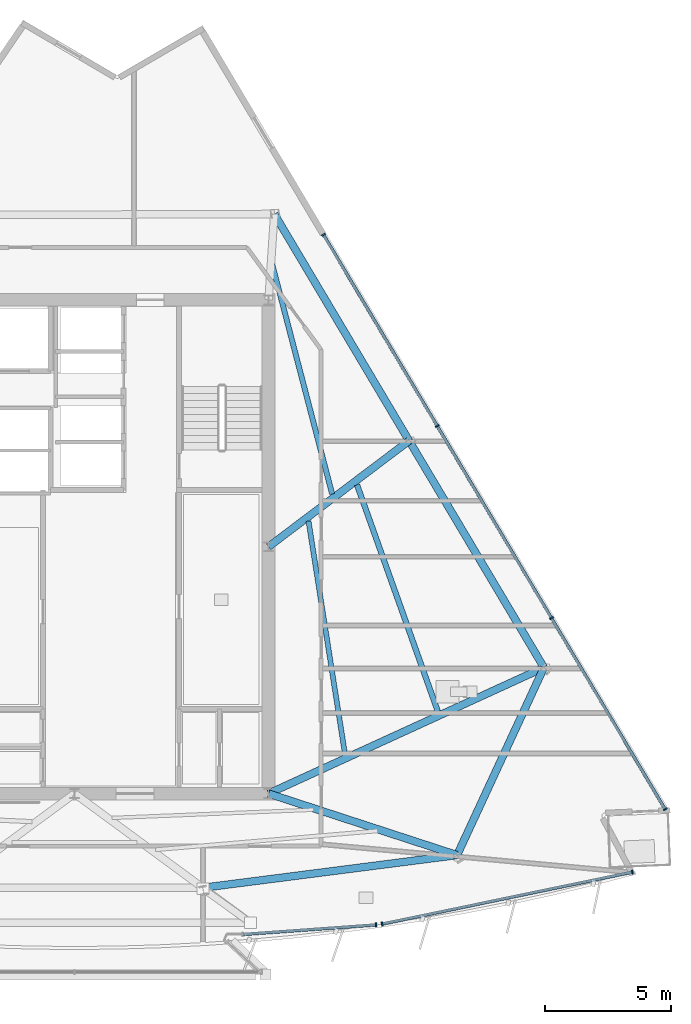
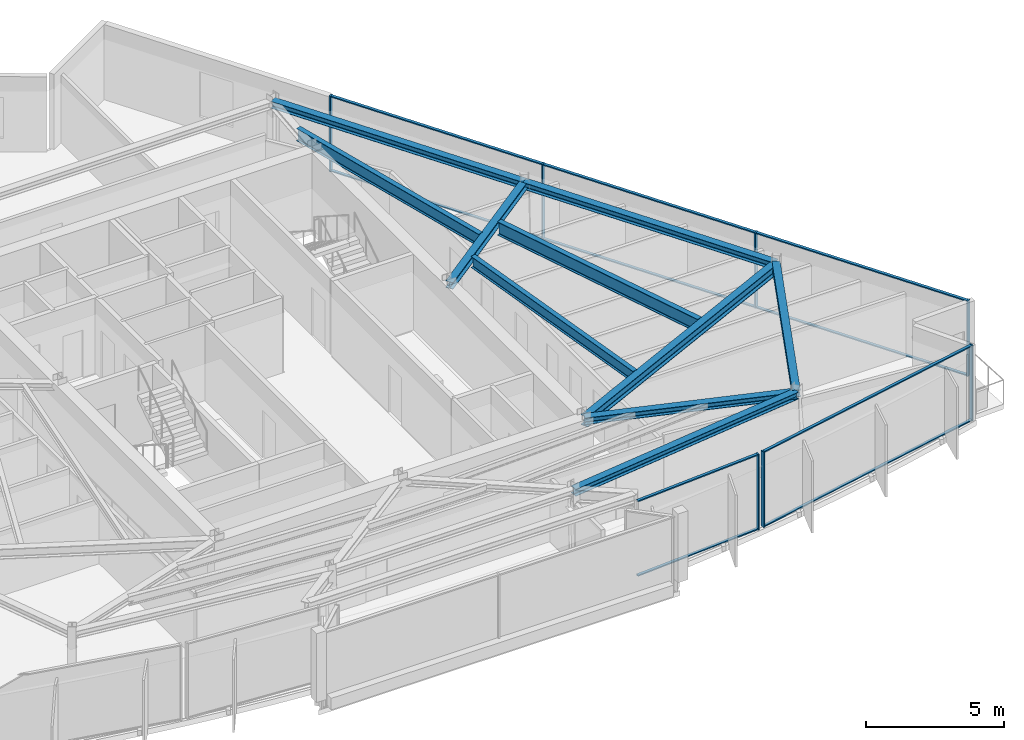
# One storey, part 5 of 13: 17 members, 10 beams, 3 elements without a shape of their own.
"""IFC4 building model written with IfcOpenShell, lengths in metres."""

from ifc_helpers import new_model, si_unit, direction, frame, origin, origin_2d, place, context, subcontext, project, spatial, rectangle, i_section, extrude, material, material_profile, profile_set, type_object, element, aggregate, save


model = new_model("IFC4")

# Units and contexts
model_context = context("Model", 3, precision=1e-05, world=origin(), true_north=direction((0.0, 1.0)))
body_context = subcontext(model_context, "Body", "Model", "MODEL_VIEW")
ifc_project = project(units=[si_unit("LENGTHUNIT", "METRE"), si_unit("AREAUNIT", "SQUARE_METRE"), si_unit("VOLUMEUNIT", "CUBIC_METRE"), si_unit("PLANEANGLEUNIT", "RADIAN"), si_unit("MASSUNIT", "GRAM", prefix="KILO")], contexts=[model_context])

# Site, building, storey
site_placement = place(None, origin())
site = spatial("IfcSite", under=ifc_project, at=site_placement, CompositionType="ELEMENT")
building_placement = place(site_placement, origin())
building = spatial("IfcBuilding", under=site, at=building_placement, Name="Savorim Split Tower", CompositionType="ELEMENT")
storey_placement = place(building_placement, frame((0.0, 0.0, 283.199951171875)))
storey = spatial("IfcBuildingStorey", under=building, at=storey_placement, Name="L75", CompositionType="ELEMENT", Elevation=283.199951171875)

# Beams
ifc_material_1 = material(Name="Steel S355", Category="steel")
ifc_material_profile_1 = material_profile(ifc_material_1, i_section(OverallWidth=0.199951171875, OverallDepth=0.5, WebThickness=0.01025390625, FlangeThickness=0.01611328125, FilletRadius=0.02099609375, at=origin_2d()), Name="IPE 500")
ifc_profile_set_1 = profile_set([ifc_material_profile_1], Name="Steel S355")
beam_type_1 = type_object("IfcBeamType", Name="BM-JST-IPE500", PredefinedType="JOIST", material=ifc_profile_set_1)
beam_1_placement = place(storey_placement, frame((10.736572265625, -7.840576171875, 3.10009765625), z_axis=(-0.154638283765, 0.987971154029, 0.0), x_axis=(-0.987971154029, -0.154638283765, 0.0)))
element("IfcBeam", 1, at=beam_1_placement, inside=storey, type_object=beam_type_1, Name="L75 Secondary Floor Joist JS-08", PredefinedType="JOIST", context=body_context, shape_type="SweptSolid", body=[
    extrude(i_section(OverallWidth=0.199951171875, OverallDepth=0.5, WebThickness=0.01025390625, FlangeThickness=0.01611328125, FilletRadius=0.02099609375, at=origin_2d()), origin(), (0.0, 0.0, 1.0), 9.373291015625),
])
ifc_material_profile_2 = material_profile(ifc_material_1, i_section(OverallWidth=0.2099609375, OverallDepth=0.550048828125, WebThickness=0.010986328125, FlangeThickness=0.01708984375, FilletRadius=0.02392578125, at=origin_2d()), Name="IPE 550")
ifc_profile_set_2 = profile_set([ifc_material_profile_2], Name="Steel S355")
beam_type_2 = type_object("IfcBeamType", Name="BM-JST-IPE550", PredefinedType="JOIST", material=ifc_profile_set_2)
beam_2_placement = place(storey_placement, frame((10.226318359375, 2.489990234375, 3.074951171875), z_axis=(-0.252550484171, 0.96758371883, 0.0), x_axis=(-0.96758371883, -0.252550484171, 0.0)))
element("IfcBeam", 2, at=beam_2_placement, inside=storey, type_object=beam_type_2, Name="L75 Secondary Floor Joist JS-07", PredefinedType="JOIST", context=body_context, shape_type="SweptSolid", body=[
    extrude(i_section(OverallWidth=0.2099609375, OverallDepth=0.550048828125, WebThickness=0.010986328125, FlangeThickness=0.01708984375, FilletRadius=0.02392578125, at=origin_2d()), origin(), (0.0, 0.0, 1.0), 9.42919921875),
])
ifc_material_profile_3 = material_profile(ifc_material_1, i_section(OverallWidth=0.219970703125, OverallDepth=0.60009765625, WebThickness=0.011962890625, FlangeThickness=0.01904296875, FilletRadius=0.02392578125, at=origin_2d()), Name="IPE 600")
ifc_profile_set_3 = profile_set([ifc_material_profile_3], Name="Steel S355")
beam_type_3 = type_object("IfcBeamType", Name="BM-JST-IPE600", PredefinedType="JOIST", material=ifc_profile_set_3)
beam_3_placement = place(storey_placement, frame((14.4248046875, -6.146240234375, 3.050048828125), z_axis=(-0.335941608896, 0.941882814055, 0.0), x_axis=(-0.941882814055, -0.335941608896, 0.0)))
element("IfcBeam", 3, at=beam_3_placement, inside=storey, type_object=beam_type_3, Name="L75 Secondary Floor Joist JS-06", PredefinedType="JOIST", context=body_context, shape_type="SweptSolid", body=[
    extrude(i_section(OverallWidth=0.219970703125, OverallDepth=0.60009765625, WebThickness=0.011962890625, FlangeThickness=0.01904296875, FilletRadius=0.02392578125, at=origin_2d()), origin(), (0.0, 0.0, 1.0), 9.5595703125),
])
ifc_material_profile_4 = material_profile(ifc_material_1, i_section(OverallWidth=0.300048828125, OverallDepth=0.300048828125, WebThickness=0.010986328125, FlangeThickness=0.01904296875, FilletRadius=0.027099609375, at=origin_2d()), Name="HEB 300")
ifc_profile_set_4 = profile_set([ifc_material_profile_4], Name="Steel S355")
beam_type_4 = type_object("IfcBeamType", Name="BM-PRI-HEB300", PredefinedType="BEAM", material=ifc_profile_set_4)
beam_4_placement = place(storey_placement, frame((15.185302734375, -11.842041015625, 3.199951171875), z_axis=(-0.950682542685, 0.310165605821, 0.0), x_axis=(-0.310165605821, -0.950682542685, 0.0)))
element("IfcBeam", 4, at=beam_4_placement, inside=storey, type_object=beam_type_4, Name="L75 Primary Floor Girder RG-04", PredefinedType="BEAM", context=body_context, shape_type="SweptSolid", body=[
    extrude(i_section(OverallWidth=0.300048828125, OverallDepth=0.300048828125, WebThickness=0.010986328125, FlangeThickness=0.01904296875, FilletRadius=0.027099609375, at=origin_2d()), origin(), (0.0, 0.0, 1.0), 7.873779296875),
])
beam_5_placement = place(storey_placement, frame((13.280029296875, 4.607177734375, 3.199951171875), z_axis=(-0.798471457477, -0.602032666551, 0.0), x_axis=(0.602032666551, -0.798471457477, 0.0)))
element("IfcBeam", 5, at=beam_5_placement, inside=storey, type_object=beam_type_4, Name="L75 Primary Floor Girder RG-06", PredefinedType="BEAM", context=body_context, shape_type="SweptSolid", body=[
    extrude(i_section(OverallWidth=0.300048828125, OverallDepth=0.300048828125, WebThickness=0.010986328125, FlangeThickness=0.01904296875, FilletRadius=0.027099609375, at=origin_2d()), origin(), (0.0, 0.0, 1.0), 6.988525390625),
])
ifc_material_profile_5 = material_profile(ifc_material_1, i_section(OverallWidth=0.300048828125, OverallDepth=0.449951171875, WebThickness=0.013916015625, FlangeThickness=0.02587890625, FilletRadius=0.027099609375, at=origin_2d()), Name="HEB 450")
ifc_profile_set_5 = profile_set([ifc_material_profile_5], Name="Steel S355")
beam_type_5 = type_object("IfcBeamType", Name="BM-PRI-HEB450", PredefinedType="BEAM", material=ifc_profile_set_5)
beam_6_placement = place(storey_placement, frame((18.633056640625, -4.395263671875, 3.125), z_axis=(-0.909265313128, -0.416216999103, 0.0), x_axis=(0.416216999103, -0.909265313128, 0.0)))
element("IfcBeam", 6, at=beam_6_placement, inside=storey, type_object=beam_type_5, Name="L75 Primary Floor Girder RG-05", PredefinedType="BEAM", context=body_context, shape_type="SweptSolid", body=[
    extrude(i_section(OverallWidth=0.300048828125, OverallDepth=0.449951171875, WebThickness=0.013916015625, FlangeThickness=0.02587890625, FilletRadius=0.027099609375, at=origin_2d()), origin(), (0.0, 0.0, 1.0), 12.024169921875),
])
ifc_material_profile_6 = material_profile(ifc_material_1, i_section(OverallWidth=0.300048828125, OverallDepth=0.31005859375, WebThickness=0.009033203125, FlangeThickness=0.015380859375, FilletRadius=0.027099609375, at=origin_2d()), Name="HEA 320")
ifc_profile_set_6 = profile_set([ifc_material_profile_6], Name="Steel S355")
beam_type_6 = type_object("IfcBeamType", Name="BM-SPN-HEA320", PredefinedType="SPANDREL", material=ifc_profile_set_6)
beam_7_placement = place(storey_placement, frame((5.08935546875, -13.138427734375, 3.195068359375), z_axis=(0.991856434449, 0.127360957293, 0.0), x_axis=(-0.127360957293, 0.991856434449, 0.0)))
element("IfcBeam", 7, at=beam_7_placement, inside=storey, type_object=beam_type_6, Name="L75 Perimeter Spandrel Beam 3", PredefinedType="SPANDREL", context=body_context, shape_type="SweptSolid", body=[
    extrude(i_section(OverallWidth=0.300048828125, OverallDepth=0.31005859375, WebThickness=0.009033203125, FlangeThickness=0.015380859375, FilletRadius=0.027099609375, at=origin_2d()), origin(), (0.0, 0.0, 1.0), 10.178955078125),
])
beam_8_placement = place(storey_placement, frame((15.185302734375, -11.842041015625, 3.195068359375), z_axis=(0.420140808544, 0.907458925239, 0.0), x_axis=(-0.907458925239, 0.420140808544, 0.0)))
element("IfcBeam", 8, at=beam_8_placement, inside=storey, type_object=beam_type_6, Name="L75 Perimeter Spandrel Beam 4", PredefinedType="SPANDREL", context=body_context, shape_type="SweptSolid", body=[
    extrude(i_section(OverallWidth=0.300048828125, OverallDepth=0.31005859375, WebThickness=0.009033203125, FlangeThickness=0.015380859375, FilletRadius=0.027099609375, at=origin_2d()), origin(), (0.0, 0.0, 1.0), 8.206298828125),
])
beam_9_placement = place(storey_placement, frame((18.633056640625, -4.395263671875, 3.195068359375), z_axis=(-0.511091217809, 0.859526478404, 0.0), x_axis=(-0.859526478404, -0.511091217809, 0.0)))
element("IfcBeam", 9, at=beam_9_placement, inside=storey, type_object=beam_type_6, Name="L75 Perimeter Spandrel Beam 5", PredefinedType="SPANDREL", context=body_context, shape_type="SweptSolid", body=[
    extrude(i_section(OverallWidth=0.300048828125, OverallDepth=0.31005859375, WebThickness=0.009033203125, FlangeThickness=0.015380859375, FilletRadius=0.027099609375, at=origin_2d()), origin(), (0.0, 0.0, 1.0), 10.4736328125),
])
beam_10_placement = place(storey_placement, frame((13.280029296875, 4.607177734375, 3.195068359375), z_axis=(-0.511084236525, 0.859530629574, 0.0), x_axis=(-0.859530629574, -0.511084236525, 0.0)))
element("IfcBeam", 10, at=beam_10_placement, inside=storey, type_object=beam_type_6, Name="L75 Perimeter Spandrel Beam 6", PredefinedType="SPANDREL", context=body_context, shape_type="SweptSolid", body=[
    extrude(i_section(OverallWidth=0.300048828125, OverallDepth=0.31005859375, WebThickness=0.009033203125, FlangeThickness=0.015380859375, FilletRadius=0.027099609375, at=origin_2d()), origin(), (0.0, 0.0, 1.0), 10.473388671875),
])

# Curtain wall, member
ifc_material_2 = material(Name="Dark Ceramic-Fritted Insulated Glass", Category="glass")
curtain_wall_type = type_object("IfcCurtainWallType", Name="CW-TWR-FRIT-B", PredefinedType="NOTDEFINED", material=ifc_material_2)
curtain_wall_1_placement = place(storey_placement, origin())
curtain_wall_1 = element("IfcCurtainWall", 11, at=curtain_wall_1_placement, inside=storey, type_object=curtain_wall_type, Name="L75 Curtain Wall CW-L75-SF3A", PredefinedType="NOTDEFINED")
ifc_material_3 = material(Name="Charcoal Anodised Aluminium", Category="aluminium")
ifc_material_profile_7 = material_profile(ifc_material_3, rectangle(XDim=0.159912109375, YDim=0.06005859375, at=origin_2d()), Name="ALU-M 160x60")
ifc_profile_set_7 = profile_set([ifc_material_profile_7], Name="Charcoal Anodised Aluminium")
member_type_1 = type_object("IfcMemberType", Name="CWM-160x60", PredefinedType="MULLION", material=ifc_profile_set_7)
member_1_placement = place(storey_placement, frame((11.967529296875, -14.610107421875, 0.0), z_axis=(0.0, 0.0, 1.0), x_axis=(-0.071549884359, 0.997437022598, 0.0)))
member_1 = element("IfcMember", 12, at=member_1_placement, type_object=member_type_1, Name="CW-03 mullion 2", PredefinedType="MULLION", context=body_context, shape_type="SweptSolid", body=[
    extrude(rectangle(XDim=0.159912109375, YDim=0.06005859375, at=origin_2d()), origin(), (0.0, 0.0, 1.0), 3.35009765625),
])

# Curtain wall, members
curtain_wall_2_placement = place(storey_placement, origin())
curtain_wall_2 = element("IfcCurtainWall", 13, at=curtain_wall_2_placement, inside=storey, type_object=curtain_wall_type, Name="L75 Curtain Wall CW-L75-SF4A", PredefinedType="NOTDEFINED")
member_2_placement = place(storey_placement, frame((12.20849609375, -14.57666015625, 0.0), z_axis=(0.0, 0.0, 1.0), x_axis=(-0.203215038861, 0.979134131762, 0.0)))
member_2 = element("IfcMember", 14, at=member_2_placement, type_object=member_type_1, Name="CW-03 mullion 1", PredefinedType="MULLION", context=body_context, shape_type="SweptSolid", body=[
    extrude(rectangle(XDim=0.159912109375, YDim=0.06005859375, at=origin_2d()), origin(), (0.0, 0.0, 1.0), 3.35009765625),
])
member_3_placement = place(storey_placement, frame((22.142333984375, -12.514892578125, 0.0), z_axis=(0.0, 0.0, 1.0), x_axis=(-0.203215038861, 0.979134131762, 0.0)))
member_3 = element("IfcMember", 15, at=member_3_placement, type_object=member_type_1, Name="CW-03 mullion 2", PredefinedType="MULLION", context=body_context, shape_type="SweptSolid", body=[
    extrude(rectangle(XDim=0.159912109375, YDim=0.06005859375, at=origin_2d()), origin(), (0.0, 0.0, 1.0), 3.35009765625),
])

curtain_wall_3_placement = place(storey_placement, origin())
curtain_wall_3 = element("IfcCurtainWall", 16, at=curtain_wall_3_placement, inside=storey, type_object=curtain_wall_type, Name="L75 Curtain Wall CW-L75-EAST", PredefinedType="NOTDEFINED")
member_4_placement = place(storey_placement, frame((23.44482421875, -10.0234375, 0.0), z_axis=(0.0, 0.0, 1.0), x_axis=(-0.859526200766, -0.511091684727, 0.0)))
member_4 = element("IfcMember", 17, at=member_4_placement, type_object=member_type_1, Name="CW-03 mullion 1", PredefinedType="MULLION", context=body_context, shape_type="SweptSolid", body=[
    extrude(rectangle(XDim=0.159912109375, YDim=0.06005859375, at=origin_2d()), origin(), (0.0, 0.0, 1.0), 3.35009765625),
])
member_5_placement = place(storey_placement, frame((18.92919921875, -2.42919921875, 0.0), z_axis=(0.0, 0.0, 1.0), x_axis=(-0.859526200766, -0.511091684727, 0.0)))
member_5 = element("IfcMember", 18, at=member_5_placement, type_object=member_type_1, Name="CW-03 mullion 2", PredefinedType="MULLION", context=body_context, shape_type="SweptSolid", body=[
    extrude(rectangle(XDim=0.159912109375, YDim=0.06005859375, at=origin_2d()), origin(), (0.0, 0.0, 1.0), 3.35009765625),
])
member_6_placement = place(storey_placement, frame((14.398193359375, 5.190673828125, 0.0), z_axis=(0.0, 0.0, 1.0), x_axis=(-0.859526200766, -0.511091684727, 0.0)))
member_6 = element("IfcMember", 19, at=member_6_placement, type_object=member_type_1, Name="CW-03 mullion 3", PredefinedType="MULLION", context=body_context, shape_type="SweptSolid", body=[
    extrude(rectangle(XDim=0.159912109375, YDim=0.06005859375, at=origin_2d()), origin(), (0.0, 0.0, 1.0), 3.35009765625),
])
member_7_placement = place(storey_placement, frame((9.882568359375, 12.784912109375, 0.0), z_axis=(0.0, 0.0, 1.0), x_axis=(-0.859526200766, -0.511091684727, 0.0)))
member_7 = element("IfcMember", 20, at=member_7_placement, type_object=member_type_1, Name="CW-03 mullion 4", PredefinedType="MULLION", context=body_context, shape_type="SweptSolid", body=[
    extrude(rectangle(XDim=0.159912109375, YDim=0.06005859375, at=origin_2d()), origin(), (0.0, 0.0, 1.0), 3.35009765625),
])

# Member
ifc_material_profile_8 = material_profile(ifc_material_3, rectangle(XDim=0.1201171875, YDim=0.050048828125, at=origin_2d()), Name="ALU-T 120x50")
ifc_profile_set_8 = profile_set([ifc_material_profile_8], Name="Charcoal Anodised Aluminium")
member_type_2 = type_object("IfcMemberType", Name="CWT-120x50", PredefinedType="USERDEFINED", material=ifc_profile_set_8)
member_8_placement = place(storey_placement, frame((6.697265625, -14.98828125, 0.025146484375), z_axis=(0.997436004079, 0.071564081545, 0.0), x_axis=(-0.071564081545, 0.997436004079, 0.0)))
member_8 = element("IfcMember", 21, at=member_8_placement, type_object=member_type_2, Name="CW-03 transom 1.1", ObjectType="TRANSOM", PredefinedType="USERDEFINED", context=body_context, shape_type="SweptSolid", body=[
    extrude(rectangle(XDim=0.1201171875, YDim=0.050048828125, at=origin_2d()), origin(), (0.0, 0.0, 1.0), 5.253662109375),
])

member_9_placement = place(storey_placement, frame((6.697265625, -14.98828125, 3.324951171875), z_axis=(0.997436004079, 0.071564081545, 0.0), x_axis=(-0.071564081545, 0.997436004079, 0.0)))
member_9 = element("IfcMember", 22, at=member_9_placement, type_object=member_type_2, Name="CW-03 transom 1.2", ObjectType="TRANSOM", PredefinedType="USERDEFINED", context=body_context, shape_type="SweptSolid", body=[
    extrude(rectangle(XDim=0.1201171875, YDim=0.050048828125, at=origin_2d()), origin(), (0.0, 0.0, 1.0), 5.253662109375),
])

aggregate(curtain_wall_1, [member_1, member_8, member_9])

member_10_placement = place(storey_placement, frame((12.238037109375, -14.570556640625, 0.025146484375), z_axis=(0.9791332013, 0.203219521977, 0.0), x_axis=(-0.203219521977, 0.9791332013, 0.0)))
member_10 = element("IfcMember", 23, at=member_10_placement, type_object=member_type_2, Name="CW-03 transom 1.1", ObjectType="TRANSOM", PredefinedType="USERDEFINED", context=body_context, shape_type="SweptSolid", body=[
    extrude(rectangle(XDim=0.1201171875, YDim=0.050048828125, at=origin_2d()), origin(), (0.0, 0.0, 1.0), 10.08544921875),
])

member_11_placement = place(storey_placement, frame((12.238037109375, -14.570556640625, 3.324951171875), z_axis=(0.9791332013, 0.203219521977, 0.0), x_axis=(-0.203219521977, 0.9791332013, 0.0)))
member_11 = element("IfcMember", 24, at=member_11_placement, type_object=member_type_2, Name="CW-03 transom 1.2", ObjectType="TRANSOM", PredefinedType="USERDEFINED", context=body_context, shape_type="SweptSolid", body=[
    extrude(rectangle(XDim=0.1201171875, YDim=0.050048828125, at=origin_2d()), origin(), (0.0, 0.0, 1.0), 10.08544921875),
])

aggregate(curtain_wall_2, [member_2, member_3, member_10, member_11])

member_12_placement = place(storey_placement, frame((23.429443359375, -9.99755859375, 0.025146484375), z_axis=(-0.511087614626, 0.859528620917, 0.0), x_axis=(-0.859528620917, -0.511087614626, 0.0)))
member_12 = element("IfcMember", 25, at=member_12_placement, type_object=member_type_2, Name="CW-03 transom 1.1", ObjectType="TRANSOM", PredefinedType="USERDEFINED", context=body_context, shape_type="SweptSolid", body=[
    extrude(rectangle(XDim=0.1201171875, YDim=0.050048828125, at=origin_2d()), origin(), (0.0, 0.0, 1.0), 8.775146484375),
])

member_13_placement = place(storey_placement, frame((23.429443359375, -9.99755859375, 3.324951171875), z_axis=(-0.511087614626, 0.859528620917, 0.0), x_axis=(-0.859528620917, -0.511087614626, 0.0)))
member_13 = element("IfcMember", 26, at=member_13_placement, type_object=member_type_2, Name="CW-03 transom 1.2", ObjectType="TRANSOM", PredefinedType="USERDEFINED", context=body_context, shape_type="SweptSolid", body=[
    extrude(rectangle(XDim=0.1201171875, YDim=0.050048828125, at=origin_2d()), origin(), (0.0, 0.0, 1.0), 8.775146484375),
])

member_14_placement = place(storey_placement, frame((18.913818359375, -2.403564453125, 0.025146484375), z_axis=(-0.511087019208, 0.859528974961, 0.0), x_axis=(-0.859528974961, -0.511087019208, 0.0)))
member_14 = element("IfcMember", 27, at=member_14_placement, type_object=member_type_2, Name="CW-03 transom 2.1", ObjectType="TRANSOM", PredefinedType="USERDEFINED", context=body_context, shape_type="SweptSolid", body=[
    extrude(rectangle(XDim=0.1201171875, YDim=0.050048828125, at=origin_2d()), origin(), (0.0, 0.0, 1.0), 8.80517578125),
])

member_15_placement = place(storey_placement, frame((18.913818359375, -2.403564453125, 3.324951171875), z_axis=(-0.511087019208, 0.859528974961, 0.0), x_axis=(-0.859528974961, -0.511087019208, 0.0)))
member_15 = element("IfcMember", 28, at=member_15_placement, type_object=member_type_2, Name="CW-03 transom 2.2", ObjectType="TRANSOM", PredefinedType="USERDEFINED", context=body_context, shape_type="SweptSolid", body=[
    extrude(rectangle(XDim=0.1201171875, YDim=0.050048828125, at=origin_2d()), origin(), (0.0, 0.0, 1.0), 8.80517578125),
])

member_16_placement = place(storey_placement, frame((14.3828125, 5.216552734375, 0.025146484375), z_axis=(-0.511087614626, 0.859528620917, 0.0), x_axis=(-0.859528620917, -0.511087614626, 0.0)))
member_16 = element("IfcMember", 29, at=member_16_placement, type_object=member_type_2, Name="CW-03 transom 3.1", ObjectType="TRANSOM", PredefinedType="USERDEFINED", context=body_context, shape_type="SweptSolid", body=[
    extrude(rectangle(XDim=0.1201171875, YDim=0.050048828125, at=origin_2d()), origin(), (0.0, 0.0, 1.0), 8.775146484375),
])

member_17_placement = place(storey_placement, frame((14.3828125, 5.216552734375, 3.324951171875), z_axis=(-0.511087614626, 0.859528620917, 0.0), x_axis=(-0.859528620917, -0.511087614626, 0.0)))
member_17 = element("IfcMember", 30, at=member_17_placement, type_object=member_type_2, Name="CW-03 transom 3.2", ObjectType="TRANSOM", PredefinedType="USERDEFINED", context=body_context, shape_type="SweptSolid", body=[
    extrude(rectangle(XDim=0.1201171875, YDim=0.050048828125, at=origin_2d()), origin(), (0.0, 0.0, 1.0), 8.775146484375),
])

aggregate(curtain_wall_3, [member_4, member_5, member_6, member_7, member_12, member_13, member_14, member_15, member_16, member_17])

save(model, "model.ifc")
